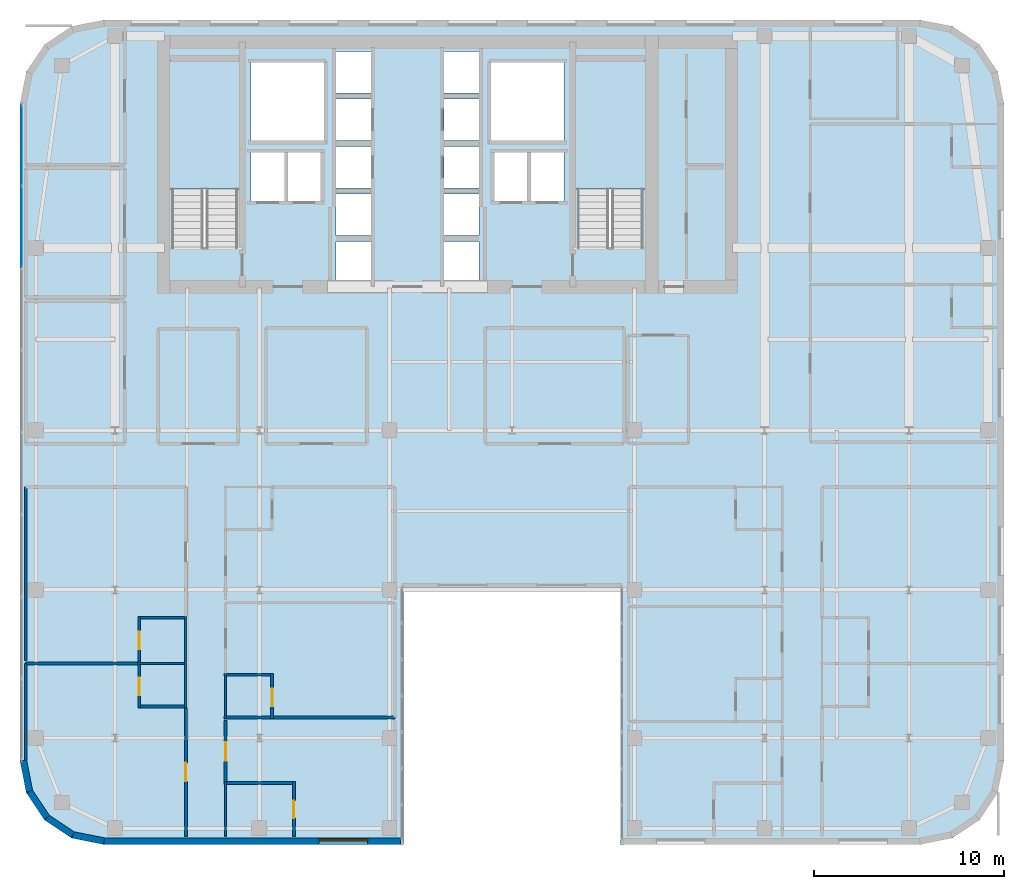
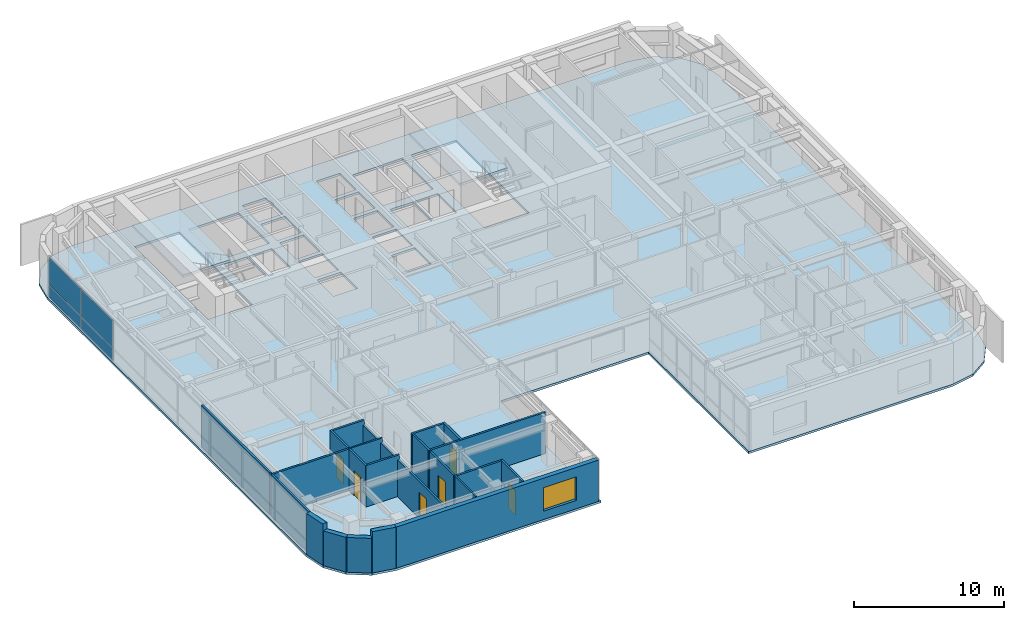
# One storey, part 17 of 24: 24 walls, 6 doors, 4 plates, 3 slabs, 1 window, 7 openings, 3 elements without a shape of their own.
"""IFC4 building model written with IfcOpenShell, lengths in metres."""

from ifc_helpers import new_model, si_unit, direction, frame, frame_2d, origin, origin_2d, place, context, subcontext, project, spatial, polyline, rectangle, outline, extrude, source, transform, mapped, material, layer, layer_set, type_object, type_shapes, element, fill, aggregate, save


model = new_model("IFC4")

# Units and contexts
model_context = context("Model", 3, precision=1e-05, world=origin(), true_north=direction((0.0, 1.0)))
body_context = subcontext(model_context, "Body", "Model", "MODEL_VIEW")
ifc_project = project(units=[si_unit("LENGTHUNIT", "METRE"), si_unit("AREAUNIT", "SQUARE_METRE"), si_unit("VOLUMEUNIT", "CUBIC_METRE"), si_unit("PLANEANGLEUNIT", "RADIAN"), si_unit("MASSUNIT", "GRAM", prefix="KILO")], contexts=[model_context])

# Site, building, storey
site_placement = place(None, origin())
site = spatial("IfcSite", under=ifc_project, at=site_placement, CompositionType="ELEMENT")
building_placement = place(site_placement, origin())
building = spatial("IfcBuilding", under=site, at=building_placement, Name="Tolvann Quenvar Hotel", CompositionType="ELEMENT")
storey_placement = place(building_placement, frame((0.0, 0.0, 194.64990234375)))
storey = spatial("IfcBuildingStorey", under=building, at=storey_placement, Name="L51", CompositionType="ELEMENT", Elevation=194.64990234375)

# Stair, slab
ifc_material_1 = material(Name="Concrete N40 (40 MPa)", Category="concrete")
stair_type = type_object("IfcStairType", Name="STAIR", PredefinedType="HALF_TURN_STAIR", material=ifc_material_1)
stair_1_placement = place(storey_placement, origin())
stair_1 = element("IfcStair", 1, at=stair_1_placement, inside=storey, type_object=stair_type, Name="L51 ST-C1", PredefinedType="HALF_TURN_STAIR")
ifc_layer_1 = layer(ifc_material_1, 0.199951171875)
ifc_layer_set_1 = layer_set([ifc_layer_1], Name="Concrete N40 (40 MPa)")
slab_type_1 = type_object("IfcSlabType", Name="SLAB_LANDING", PredefinedType="LANDING", material=ifc_layer_set_1)
slab_1_placement = place(storey_placement, frame((0.0, 0.0, 1.5751953125)))
slab_1 = element("IfcSlab", 2, at=slab_1_placement, type_object=slab_type_1, Name="ST-C1 landing 1", PredefinedType="LANDING", context=body_context, shape_type="SweptSolid", body=[
    extrude(outline(polyline([(14.179931640625, 37.10498046875), (14.179931640625, 43.8798828125), (10.469970703125, 43.8798828125), (10.469970703125, 37.10498046875), (14.179931640625, 37.10498046875)])), origin(), (0.0, 0.0, 1.0), 0.199951171875),
])
aggregate(stair_1, [slab_1])

stair_2_placement = place(storey_placement, origin())
stair_2 = element("IfcStair", 3, at=stair_2_placement, inside=storey, type_object=stair_type, Name="L51 ST-C2", PredefinedType="HALF_TURN_STAIR")
slab_2_placement = place(storey_placement, frame((0.0, 0.0, 1.5751953125)))
slab_2 = element("IfcSlab", 4, at=slab_2_placement, type_object=slab_type_1, Name="ST-C2 landing 1", PredefinedType="LANDING", context=body_context, shape_type="SweptSolid", body=[
    extrude(outline(polyline([(35.530029296875, 37.10498046875), (35.530029296875, 43.8798828125), (31.820068359375, 43.8798828125), (31.820068359375, 37.10498046875), (35.530029296875, 37.10498046875)])), origin(), (0.0, 0.0, 1.0), 0.199951171875),
])
aggregate(stair_2, [slab_2])

# Slab
ifc_layer_2 = layer(ifc_material_1, 0.179931640625)
ifc_layer_set_2 = layer_set([ifc_layer_2], Name="Concrete N40 (40 MPa)")
slab_type_2 = type_object("IfcSlabType", Name="SLAB_TWR_180", PredefinedType="FLOOR", material=ifc_layer_set_2)
slab_3_placement = place(storey_placement, frame((0.0, 0.0, -0.179931640625)))
element("IfcSlab", 5, at=slab_3_placement, inside=storey, type_object=slab_type_2, Name="Level L51 Structural Floor Slab", PredefinedType="FLOOR", context=body_context, shape_type="SweptSolid", body=[
    extrude(outline(polyline([(2.60009765625, 7.0), (2.934814453125, 5.316162109375), (3.888671875, 3.888671875), (5.316162109375, 2.934814453125), (7.0, 2.60009765625), (22.800048828125, 2.60009765625), (22.800048828125, 16.0), (34.199951171875, 16.0), (34.199951171875, 2.60009765625), (50.0, 2.60009765625), (51.683837890625, 2.934814453125), (53.111328125, 3.888671875), (54.065185546875, 5.316162109375), (54.39990234375, 7.0), (54.39990234375, 41.60009765625), (54.065185546875, 43.28369140625), (53.111328125, 44.711181640625), (51.683837890625, 45.6650390625), (50.0, 46.0), (7.0, 46.0), (5.316162109375, 45.6650390625), (3.888671875, 44.711181640625), (2.934814453125, 43.28369140625), (2.60009765625, 41.60009765625), (2.60009765625, 7.0)]), holes=[polyline([(31.949951171875, 34.02490234375), (31.949951171875, 43.800048828125), (35.39990234375, 43.800048828125), (35.39990234375, 34.02490234375), (31.949951171875, 34.02490234375)]), polyline([(29.449951171875, 39.02001953125), (31.25, 39.02001953125), (31.25, 36.47998046875), (29.449951171875, 36.47998046875), (29.449951171875, 39.02001953125)]), polyline([(31.25, 43.75), (31.25, 39.64990234375), (27.39990234375, 39.64990234375), (27.39990234375, 43.75), (31.25, 43.75)]), polyline([(27.574951171875, 39.02001953125), (29.324951171875, 39.02001953125), (29.324951171875, 36.47998046875), (27.574951171875, 36.47998046875), (27.574951171875, 39.02001953125)]), polyline([(26.77001953125, 44.340087890625), (26.77001953125, 42.159912109375), (24.929931640625, 42.159912109375), (24.929931640625, 44.340087890625), (26.77001953125, 44.340087890625)]), polyline([(24.929931640625, 41.840087890625), (26.77001953125, 41.840087890625), (26.77001953125, 39.659912109375), (24.929931640625, 39.659912109375), (24.929931640625, 41.840087890625)]), polyline([(24.929931640625, 39.340087890625), (26.77001953125, 39.340087890625), (26.77001953125, 37.159912109375), (24.929931640625, 37.159912109375), (24.929931640625, 39.340087890625)]), polyline([(24.929931640625, 36.840087890625), (26.77001953125, 36.840087890625), (26.77001953125, 34.659912109375), (24.929931640625, 34.659912109375), (24.929931640625, 36.840087890625)]), polyline([(24.929931640625, 34.340087890625), (26.77001953125, 34.340087890625), (26.77001953125, 32.159912109375), (24.929931640625, 32.159912109375), (24.929931640625, 34.340087890625)]), polyline([(21.070068359375, 44.340087890625), (21.070068359375, 42.159912109375), (19.22998046875, 42.159912109375), (19.22998046875, 44.340087890625), (21.070068359375, 44.340087890625)]), polyline([(19.22998046875, 41.840087890625), (21.070068359375, 41.840087890625), (21.070068359375, 39.659912109375), (19.22998046875, 39.659912109375), (19.22998046875, 41.840087890625)]), polyline([(19.22998046875, 39.340087890625), (21.070068359375, 39.340087890625), (21.070068359375, 37.159912109375), (19.22998046875, 37.159912109375), (19.22998046875, 39.340087890625)]), polyline([(19.22998046875, 36.840087890625), (21.070068359375, 36.840087890625), (21.070068359375, 34.659912109375), (19.22998046875, 34.659912109375), (19.22998046875, 36.840087890625)]), polyline([(19.22998046875, 34.340087890625), (21.070068359375, 34.340087890625), (21.070068359375, 32.159912109375), (19.22998046875, 32.159912109375), (19.22998046875, 34.340087890625)]), polyline([(18.60009765625, 43.75), (18.60009765625, 39.64990234375), (14.75, 39.64990234375), (14.75, 43.75), (18.60009765625, 43.75)]), polyline([(16.675048828125, 39.02001953125), (18.425048828125, 39.02001953125), (18.425048828125, 36.47998046875), (16.675048828125, 36.47998046875), (16.675048828125, 39.02001953125)]), polyline([(14.75, 39.02001953125), (16.550048828125, 39.02001953125), (16.550048828125, 36.47998046875), (14.75, 36.47998046875), (14.75, 39.02001953125)]), polyline([(10.60009765625, 34.02490234375), (10.60009765625, 43.800048828125), (14.050048828125, 43.800048828125), (14.050048828125, 34.02490234375), (10.60009765625, 34.02490234375)])]), origin(), (0.0, 0.0, 1.0), 0.179931640625),
])

# Curtain wall, plates
ifc_material_2 = material(Name="Thermally broken anodised architectural aluminium 6063-T6 and laminated low-E glass", Category="aluminium")
ifc_layer_3 = layer(ifc_material_2, 0.179931640625)
ifc_layer_set_3 = layer_set([ifc_layer_3], Name="Thermally broken anodised architectural aluminium 6063-T6 and laminated low-E glass")
curtain_wall_type = type_object("IfcCurtainWallType", Name="CW_SYS_BAND_04", PredefinedType="USERDEFINED", material=ifc_layer_set_3)
curtain_wall_placement = place(storey_placement, origin())
curtain_wall = element("IfcCurtainWall", 6, at=curtain_wall_placement, inside=storey, type_object=curtain_wall_type, Name="Curtain Wall CW-BAND-04 (CWR-L51-E23)", ObjectType="UNITISED CURTAIN WALL", PredefinedType="USERDEFINED")
ifc_material_3 = material(Name="Low-iron laminated double glazing with solar-control coating", Category="glass")
ifc_layer_4 = layer(ifc_material_3, 0.028076171875)
ifc_layer_set_4 = layer_set([ifc_layer_4], Name="Low-iron laminated double glazing with solar-control coating")
plate_type = type_object("IfcPlateType", Name="CW_PAN_VISION_28", PredefinedType="CURTAIN_PANEL", material=ifc_layer_set_4)
shared_shape_1 = source(origin(), body_context, "Body", "SweptSolid", [
    extrude(rectangle(XDim=4.2158203125, YDim=0.028076171875, at=origin_2d()), origin(), (0.0, 0.0, 1.0), 0.9599609375),
])
plate_1_placement = place(storey_placement, frame((2.68994140625, 39.405029296875, 0.06005859375), z_axis=(0.0, 0.0, 1.0), x_axis=(0.0, -1.0, 0.0)))
plate_1 = element("IfcPlate", 7, at=plate_1_placement, type_object=plate_type, Name="CW-BAND-04 panel 1.1", PredefinedType="CURTAIN_PANEL", context=body_context, shape_type="MappedRepresentation", body=[
    mapped(shared_shape_1, transform((0.0, 0.0, 0.0), x_axis=(1.0, 0.0, 0.0), y_axis=(0.0, 1.0, 0.0), z_axis=(0.0, 0.0, 1.0), scale=1.0)),
])
shared_shape_2 = source(origin(), body_context, "Body", "SweptSolid", [
    extrude(rectangle(XDim=4.2158203125, YDim=0.028076171875, at=origin_2d()), origin(), (0.0, 0.0, 1.0), 2.22998046875),
])
plate_2_placement = place(storey_placement, frame((2.68994140625, 39.405029296875, 1.080078125), z_axis=(0.0, 0.0, 1.0), x_axis=(0.0, -1.0, 0.0)))
plate_2 = element("IfcPlate", 8, at=plate_2_placement, type_object=plate_type, Name="CW-BAND-04 panel 1.2", PredefinedType="CURTAIN_PANEL", context=body_context, shape_type="MappedRepresentation", body=[
    mapped(shared_shape_2, transform((0.0, 0.0, 0.0), x_axis=(1.0, 0.0, 0.0), y_axis=(0.0, 1.0, 0.0), z_axis=(0.0, 0.0, 1.0), scale=1.0)),
])
shared_shape_3 = source(origin(), body_context, "Body", "SweptSolid", [
    extrude(rectangle(XDim=4.250732421875, YDim=0.028076171875, at=origin_2d()), origin(), (0.0, 0.0, 1.0), 0.9599609375),
])
plate_3_placement = place(storey_placement, frame((2.68994140625, 35.101806640625, 0.06005859375), z_axis=(0.0, 0.0, 1.0), x_axis=(0.0, -1.0, 0.0)))
plate_3 = element("IfcPlate", 9, at=plate_3_placement, type_object=plate_type, Name="CW-BAND-04 panel 2.1", PredefinedType="CURTAIN_PANEL", context=body_context, shape_type="MappedRepresentation", body=[
    mapped(shared_shape_3, transform((0.0, 0.0, 0.0), x_axis=(1.0, 0.0, 0.0), y_axis=(0.0, 1.0, 0.0), z_axis=(0.0, 0.0, 1.0), scale=1.0)),
])
shared_shape_4 = source(origin(), body_context, "Body", "SweptSolid", [
    extrude(rectangle(XDim=4.250732421875, YDim=0.028076171875, at=origin_2d()), origin(), (0.0, 0.0, 1.0), 2.22998046875),
])
type_shapes(plate_type, [shared_shape_1, shared_shape_2, shared_shape_3, shared_shape_4])
plate_4_placement = place(storey_placement, frame((2.68994140625, 35.101806640625, 1.080078125), z_axis=(0.0, 0.0, 1.0), x_axis=(0.0, -1.0, 0.0)))
plate_4 = element("IfcPlate", 10, at=plate_4_placement, type_object=plate_type, Name="CW-BAND-04 panel 2.2", PredefinedType="CURTAIN_PANEL", context=body_context, shape_type="MappedRepresentation", body=[
    mapped(shared_shape_4, transform((0.0, 0.0, 0.0), x_axis=(1.0, 0.0, 0.0), y_axis=(0.0, 1.0, 0.0), z_axis=(0.0, 0.0, 1.0), scale=1.0)),
])
aggregate(curtain_wall, [plate_1, plate_2, plate_3, plate_4])

# Walls
ifc_material_4 = material(Name="Kiln-fired red and buff architectural clay brickwork and terracotta masonry", Category="masonry")
ifc_layer_5 = layer(ifc_material_4, 0.35009765625)
ifc_layer_set_5 = layer_set([ifc_layer_5], Name="Kiln-fired red and buff architectural clay brickwork and terracotta masonry")
wall_type_1 = type_object("IfcWallType", Name="WALL_EXT_BRICK_350", PredefinedType="SOLIDWALL", material=ifc_layer_set_5)
for number, where, z_axis, x_axis, name in (
    (11, (3.099609375, 5.384521484375, 0.0), (0.0, 0.0, 1.0), (0.555623290322, -0.831434158098, 0.0), "Exterior Chicago Brick Wall L51-E01"),
    (12, (4.014892578125, 4.014892578125, 0.0), (0.0, 0.0, 1.0), (0.831434158098, -0.555623290322, 0.0), "Exterior Chicago Brick Wall L51-E02"),
):
    element("IfcWall", number, at=place(storey_placement, frame(where, z_axis=z_axis, x_axis=x_axis)), inside=storey, type_object=wall_type_1, Name=name, PredefinedType="SOLIDWALL", context=body_context, shape_type="SweptSolid", body=[
        extrude(rectangle(XDim=1.647216796875, YDim=0.35009765625, at=frame_2d((0.82373046875, 0.0))), origin(), (0.0, 0.0, 1.0), 2.83203125),
    ])
wall_1_placement = place(storey_placement, frame((5.384521484375, 3.099609375, 0.0), z_axis=(0.0, 0.0, 1.0), x_axis=(0.980788844421, -0.195072403631, 0.0)))
element("IfcWall", 13, at=wall_1_placement, inside=storey, type_object=wall_type_1, Name="Exterior Chicago Brick Wall L51-E03", PredefinedType="SOLIDWALL", context=body_context, shape_type="SweptSolid", body=[
    extrude(rectangle(XDim=1.66455078125, YDim=0.35009765625, at=frame_2d((0.832275390625, 0.0))), origin(), (0.0, 0.0, 1.0), 3.3701171875),
])

# Wall, opening, window
wall_2_placement = place(storey_placement, frame((7.01708984375, 2.77490234375, 0.0), z_axis=(0.0, 0.0, 1.0), x_axis=(1.0, 0.0, 0.0)))
wall_2 = element("IfcWall", 14, at=wall_2_placement, inside=storey, type_object=wall_type_1, Name="Exterior Chicago Brick Wall L51-E04", PredefinedType="SOLIDWALL", context=body_context, shape_type="SweptSolid", body=[
    extrude(rectangle(XDim=15.60791015625, YDim=0.35009765625, at=frame_2d((7.803955078125, 0.0))), origin(), (0.0, 0.0, 1.0), 3.3701171875),
])
opening_1_placement = place(wall_2_placement, frame((11.33203125, 0.0, 0.679931640625)))
opening_1 = element("IfcOpeningElement", 15, at=opening_1_placement, cuts=wall_2, Name="Opening W-09", PredefinedType="OPENING", context=body_context, shape_type="SweptSolid", body=[
    extrude(rectangle(XDim=2.550048828125, YDim=1.919921875, at=frame_2d((1.27490234375, 0.9599609375))), frame((0.0, 0.18505859375, 0.0), z_axis=(0.0, -1.0, 0.0), x_axis=(1.0, 0.0, 0.0)), (0.0, 0.0, 1.0), 0.3701171875),
])
ifc_material_5 = material(Name="Thermally broken bronze-anodised aluminium frame with double low-E glazing", Category="aluminium")
window_type = type_object("IfcWindowType", Name="WIN_LNG_2550x1950", PartitioningType="TRIPLE_PANEL_HORIZONTAL", PredefinedType="WINDOW", material=ifc_material_5)
shared_shape_5 = source(origin(), body_context, "Body", "SweptSolid", [
    extrude(rectangle(XDim=2.550048828125, YDim=1.919921875, at=frame_2d((1.27490234375, 0.9599609375))), frame((0.0, 0.090087890625, 0.0), z_axis=(0.0, -1.0, 0.0), x_axis=(1.0, 0.0, 0.0)), (0.0, 0.0, 1.0), 0.06005859375),
])
type_shapes(window_type, [shared_shape_5])
window_placement = place(opening_1_placement, origin())
window = element("IfcWindow", 16, at=window_placement, inside=storey, type_object=window_type, Name="Chicago Window W-09 (EW-L51-E04-W01)", OverallHeight=1.919921875, OverallWidth=2.550048828125, PartitioningType="TRIPLE_PANEL_HORIZONTAL", PredefinedType="WINDOW", context=body_context, shape_type="MappedRepresentation", body=[
    mapped(shared_shape_5, transform((0.0, 0.0, 0.0), x_axis=(1.0, 0.0, 0.0), y_axis=(0.0, 1.0, 0.0), z_axis=(0.0, 0.0, 1.0), scale=1.0)),
])
fill(opening_1, window)

# Walls
wall_3_placement = place(storey_placement, frame((2.77490234375, 7.01708984375, 0.0), z_axis=(0.0, 0.0, 1.0), x_axis=(0.195072403631, -0.980788844421, 0.0)))
element("IfcWall", 17, at=wall_3_placement, inside=storey, type_object=wall_type_1, Name="Exterior Chicago Brick Wall L51-E24", PredefinedType="SOLIDWALL", context=body_context, shape_type="SweptSolid", body=[
    extrude(rectangle(XDim=1.66455078125, YDim=0.35009765625, at=frame_2d((0.832275390625, 0.0))), origin(), (0.0, 0.0, 1.0), 3.3701171875),
])
ifc_material_6 = material(Name="Moisture-resistant acoustic plumbing wall assembly")
ifc_layer_6 = layer(ifc_material_6, 0.1201171875)
ifc_layer_set_6 = layer_set([ifc_layer_6], Name="Moisture-resistant acoustic plumbing wall assembly")
wall_type_2 = type_object("IfcWallType", Name="WALL_PART_BATH_120", PredefinedType="PLUMBINGWALL", material=ifc_layer_set_6)
wall_4_placement = place(storey_placement, frame((8.81005859375, 12.1201171875, 0.0), z_axis=(0.0, 0.0, 1.0), x_axis=(1.0, 0.0, 0.0)))
element("IfcWall", 18, at=wall_4_placement, inside=storey, type_object=wall_type_2, Name="Non-Rated Plumbing Partition PT-SPC-L51-ENS-WO01-N", PredefinedType="PLUMBINGWALL", context=body_context, shape_type="SweptSolid", body=[
    extrude(rectangle(XDim=2.58984375, YDim=0.1201171875, at=frame_2d((1.294921875, 0.0))), origin(), (0.0, 0.0, 1.0), 3.3701171875),
])
wall_5_placement = place(storey_placement, frame((11.330078125, 9.800048828125, 0.0), z_axis=(0.0, 0.0, 1.0), x_axis=(0.0, 1.0, 0.0)))
element("IfcWall", 19, at=wall_5_placement, inside=storey, type_object=wall_type_2, Name="Non-Rated Plumbing Partition PT-SPC-L51-ENS-WO01-E", PredefinedType="PLUMBINGWALL", context=body_context, shape_type="SweptSolid", body=[
    extrude(rectangle(XDim=2.389892578125, YDim=0.1201171875, at=frame_2d((1.19482421875, 0.0))), origin(), (0.0, 0.0, 1.0), 3.0009765625),
])
wall_6_placement = place(storey_placement, frame((11.330078125, 12.2099609375, 0.0), z_axis=(0.0, 0.0, 1.0), x_axis=(0.0, 1.0, 0.0)))
element("IfcWall", 20, at=wall_6_placement, inside=storey, type_object=wall_type_2, Name="Non-Rated Plumbing Partition PT-SPC-L51-ENS-WO02-E", PredefinedType="PLUMBINGWALL", context=body_context, shape_type="SweptSolid", body=[
    extrude(rectangle(XDim=2.39013671875, YDim=0.1201171875, at=frame_2d((1.195068359375, 0.0))), origin(), (0.0, 0.0, 1.0), 3.0009765625),
])
wall_7_placement = place(storey_placement, frame((13.419921875, 3.0048828125, 0.0), z_axis=(0.0, 0.0, 1.0), x_axis=(0.0, 1.0, 0.0)))
element("IfcWall", 21, at=wall_7_placement, inside=storey, type_object=wall_type_2, Name="Non-Rated Plumbing Partition PT-SPC-L51-ENS-WI01-W", PredefinedType="PLUMBINGWALL", context=body_context, shape_type="SweptSolid", body=[
    extrude(rectangle(XDim=2.89501953125, YDim=0.1201171875, at=frame_2d((1.447509765625, 0.0))), origin(), (0.0, 0.0, 1.0), 3.3701171875),
])
wall_8_placement = place(storey_placement, frame((13.419921875, 9.2099609375, 0.0), z_axis=(0.0, 0.0, 1.0), x_axis=(0.0, 1.0, 0.0)))
element("IfcWall", 22, at=wall_8_placement, inside=storey, type_object=wall_type_2, Name="Non-Rated Plumbing Partition PT-SPC-L51-ENS-WI02-W", PredefinedType="PLUMBINGWALL", context=body_context, shape_type="SweptSolid", body=[
    extrude(rectangle(XDim=2.39013671875, YDim=0.1201171875, at=frame_2d((1.195068359375, 0.0))), origin(), (0.0, 0.0, 1.0), 3.3701171875),
])

# Wall, opening, door
ifc_material_7 = material(Name="Acoustic twin-stud fire-rated gypsum plasterboard partition")
ifc_layer_7 = layer(ifc_material_7, 0.14990234375)
ifc_layer_set_7 = layer_set([ifc_layer_7], Name="Acoustic twin-stud fire-rated gypsum plasterboard partition")
wall_type_3 = type_object("IfcWallType", Name="WALL_PART_SUITE_150", PredefinedType="PARTITIONING", material=ifc_layer_set_7)
wall_9_placement = place(storey_placement, frame((8.8798828125, 9.800048828125, 0.0), z_axis=(0.0, 0.0, 1.0), x_axis=(0.0, 1.0, 0.0)))
wall_9 = element("IfcWall", 23, at=wall_9_placement, inside=storey, type_object=wall_type_3, Name="Interior Partition PT-SPC-L51-ENS-WO01-ENT", PredefinedType="PARTITIONING", context=body_context, shape_type="SweptSolid", body=[
    extrude(rectangle(XDim=2.389892578125, YDim=0.14990234375, at=frame_2d((1.19482421875, 0.0))), origin(), (0.0, 0.0, 1.0), 3.3701171875),
])
opening_2_placement = place(wall_9_placement, frame((0.6650390625, 0.0, 0.0)))
opening_2 = element("IfcOpeningElement", 24, at=opening_2_placement, cuts=wall_9, Name="Opening WD-01", PredefinedType="OPENING", context=body_context, shape_type="SweptSolid", body=[
    extrude(rectangle(XDim=0.919921875, YDim=2.010009765625, at=frame_2d((0.4599609375, 1.0048828125))), frame((0.0, 0.0849609375, 0.0), z_axis=(0.0, -1.0, 0.0), x_axis=(1.0, 0.0, 0.0)), (0.0, 0.0, 1.0), 0.169921875),
])
ifc_material_8 = material(Name="Solid-core American oak acoustic fire door leaf in steel frame", Category="steel")
door_type_1 = type_object("IfcDoorType", Name="DOOR_WC_920", OperationType="NOTDEFINED", PredefinedType="DOOR", material=ifc_material_8)
shared_shape_6 = source(origin(), body_context, "Body", "SweptSolid", [
    extrude(rectangle(XDim=0.919921875, YDim=2.010009765625, at=frame_2d((0.4599609375, 1.0048828125))), frame((0.0, 0.02490234375, 0.0), z_axis=(0.0, -1.0, 0.0), x_axis=(1.0, 0.0, 0.0)), (0.0, 0.0, 1.0), 0.050048828125),
])
type_shapes(door_type_1, [shared_shape_6])
door_1_placement = place(opening_2_placement, origin())
door_1 = element("IfcDoor", 25, at=door_1_placement, inside=storey, type_object=door_type_1, Name="Interior Door DOOR-SPC-L51-ENS-WO01", OperationType="SINGLE_SWING_RIGHT", OverallHeight=2.010009765625, OverallWidth=0.919921875, PredefinedType="DOOR", context=body_context, shape_type="MappedRepresentation", body=[
    mapped(shared_shape_6, transform((0.0, 0.0, 0.0), x_axis=(1.0, 0.0, 0.0), y_axis=(0.0, 1.0, 0.0), z_axis=(0.0, 0.0, 1.0), scale=1.0)),
])
fill(opening_2, door_1)

# Wall
wall_10_placement = place(storey_placement, frame((8.81005859375, 9.8701171875, 0.0), z_axis=(0.0, 0.0, 1.0), x_axis=(1.0, 0.0, 0.0)))
element("IfcWall", 26, at=wall_10_placement, inside=storey, type_object=wall_type_3, Name="Interior Partition PT-SPC-L51-ENS-WO01-S", PredefinedType="PARTITIONING", context=body_context, shape_type="SweptSolid", body=[
    extrude(rectangle(XDim=2.58984375, YDim=0.14990234375, at=frame_2d((1.294921875, 0.0))), origin(), (0.0, 0.0, 1.0), 3.3701171875),
])

# Wall, opening, door
wall_11_placement = place(storey_placement, frame((8.8798828125, 12.2099609375, 0.0), z_axis=(0.0, 0.0, 1.0), x_axis=(0.0, 1.0, 0.0)))
wall_11 = element("IfcWall", 27, at=wall_11_placement, inside=storey, type_object=wall_type_3, Name="Interior Partition PT-SPC-L51-ENS-WO02-ENT", PredefinedType="PARTITIONING", context=body_context, shape_type="SweptSolid", body=[
    extrude(rectangle(XDim=2.39013671875, YDim=0.14990234375, at=frame_2d((1.195068359375, 0.0))), origin(), (0.0, 0.0, 1.0), 3.3701171875),
])
opening_3_placement = place(wall_11_placement, frame((0.6650390625, 0.0, 0.0)))
opening_3 = element("IfcOpeningElement", 28, at=opening_3_placement, cuts=wall_11, Name="Opening WD-01", PredefinedType="OPENING", context=body_context, shape_type="SweptSolid", body=[
    extrude(rectangle(XDim=0.919921875, YDim=2.010009765625, at=frame_2d((0.4599609375, 1.0048828125))), frame((0.0, 0.0849609375, 0.0), z_axis=(0.0, -1.0, 0.0), x_axis=(1.0, 0.0, 0.0)), (0.0, 0.0, 1.0), 0.169921875),
])
door_2_placement = place(opening_3_placement, origin())
door_2 = element("IfcDoor", 29, at=door_2_placement, inside=storey, type_object=door_type_1, Name="Interior Door DOOR-SPC-L51-ENS-WO02", OperationType="SINGLE_SWING_LEFT", OverallHeight=2.010009765625, OverallWidth=0.919921875, PredefinedType="DOOR", context=body_context, shape_type="MappedRepresentation", body=[
    mapped(shared_shape_6, transform((0.0, 0.0, 0.0), x_axis=(1.0, 0.0, 0.0), y_axis=(0.0, 1.0, 0.0), z_axis=(0.0, 0.0, 1.0), scale=1.0)),
])
fill(opening_3, door_2)

# Wall
wall_12_placement = place(storey_placement, frame((8.81005859375, 14.530029296875, 0.0), z_axis=(0.0, 0.0, 1.0), x_axis=(1.0, 0.0, 0.0)))
element("IfcWall", 30, at=wall_12_placement, inside=storey, type_object=wall_type_3, Name="Interior Partition PT-SPC-L51-ENS-WO02-N", PredefinedType="PARTITIONING", context=body_context, shape_type="SweptSolid", body=[
    extrude(rectangle(XDim=2.58984375, YDim=0.14990234375, at=frame_2d((1.294921875, 0.0))), origin(), (0.0, 0.0, 1.0), 3.3701171875),
])

# Wall, opening, door
wall_13_placement = place(storey_placement, frame((17.02001953125, 3.0048828125, 0.0), z_axis=(0.0, 0.0, 1.0), x_axis=(0.0, 1.0, 0.0)))
wall_13 = element("IfcWall", 31, at=wall_13_placement, inside=storey, type_object=wall_type_3, Name="Interior Partition PT-SPC-L51-ENS-WI01-ENT", PredefinedType="PARTITIONING", context=body_context, shape_type="SweptSolid", body=[
    extrude(rectangle(XDim=2.89501953125, YDim=0.14990234375, at=frame_2d((1.447509765625, 0.0))), origin(), (0.0, 0.0, 1.0), 3.3701171875),
])
opening_4_placement = place(wall_13_placement, frame((0.97998046875, 0.0, 0.0)))
opening_4 = element("IfcOpeningElement", 32, at=opening_4_placement, cuts=wall_13, Name="Opening WD-01", PredefinedType="OPENING", context=body_context, shape_type="SweptSolid", body=[
    extrude(rectangle(XDim=0.919921875, YDim=2.010009765625, at=frame_2d((0.4599609375, 1.0048828125))), frame((0.0, 0.0849609375, 0.0), z_axis=(0.0, -1.0, 0.0), x_axis=(1.0, 0.0, 0.0)), (0.0, 0.0, 1.0), 0.169921875),
])
door_3_placement = place(opening_4_placement, origin())
door_3 = element("IfcDoor", 33, at=door_3_placement, inside=storey, type_object=door_type_1, Name="Interior Door DOOR-SPC-L51-ENS-WI01", OperationType="SINGLE_SWING_RIGHT", OverallHeight=2.010009765625, OverallWidth=0.919921875, PredefinedType="DOOR", context=body_context, shape_type="MappedRepresentation", body=[
    mapped(shared_shape_6, transform((0.0, 0.0, 0.0), x_axis=(1.0, 0.0, 0.0), y_axis=(0.0, 1.0, 0.0), z_axis=(0.0, 0.0, 1.0), scale=1.0)),
])
fill(opening_4, door_3)

# Wall
wall_14_placement = place(storey_placement, frame((13.35009765625, 5.830078125, 0.0), z_axis=(0.0, 0.0, 1.0), x_axis=(1.0, 0.0, 0.0)))
element("IfcWall", 34, at=wall_14_placement, inside=storey, type_object=wall_type_3, Name="Interior Partition PT-SPC-L51-ENS-WI01-N", PredefinedType="PARTITIONING", context=body_context, shape_type="SweptSolid", body=[
    extrude(rectangle(XDim=3.739990234375, YDim=0.14990234375, at=frame_2d((1.8701171875, 0.0))), origin(), (0.0, 0.0, 1.0), 3.3701171875),
])

# Wall, opening, door
wall_15_placement = place(storey_placement, frame((15.8701171875, 9.2099609375, 0.0), z_axis=(0.0, 0.0, 1.0), x_axis=(0.0, 1.0, 0.0)))
wall_15 = element("IfcWall", 35, at=wall_15_placement, inside=storey, type_object=wall_type_3, Name="Interior Partition PT-SPC-L51-ENS-WI02-ENT", PredefinedType="PARTITIONING", context=body_context, shape_type="SweptSolid", body=[
    extrude(rectangle(XDim=2.39013671875, YDim=0.14990234375, at=frame_2d((1.195068359375, 0.0))), origin(), (0.0, 0.0, 1.0), 3.3701171875),
])
opening_5_placement = place(wall_15_placement, frame((0.6650390625, 0.0, 0.0)))
opening_5 = element("IfcOpeningElement", 36, at=opening_5_placement, cuts=wall_15, Name="Opening WD-01", PredefinedType="OPENING", context=body_context, shape_type="SweptSolid", body=[
    extrude(rectangle(XDim=0.919921875, YDim=2.010009765625, at=frame_2d((0.4599609375, 1.0048828125))), frame((0.0, 0.0849609375, 0.0), z_axis=(0.0, -1.0, 0.0), x_axis=(1.0, 0.0, 0.0)), (0.0, 0.0, 1.0), 0.169921875),
])
door_4_placement = place(opening_5_placement, origin())
door_4 = element("IfcDoor", 37, at=door_4_placement, inside=storey, type_object=door_type_1, Name="Interior Door DOOR-SPC-L51-ENS-WI02", OperationType="SINGLE_SWING_LEFT", OverallHeight=2.010009765625, OverallWidth=0.919921875, PredefinedType="DOOR", context=body_context, shape_type="MappedRepresentation", body=[
    mapped(shared_shape_6, transform((0.0, 0.0, 0.0), x_axis=(1.0, 0.0, 0.0), y_axis=(0.0, 1.0, 0.0), z_axis=(0.0, 0.0, 1.0), scale=1.0)),
])
fill(opening_5, door_4)

# Walls
wall_16_placement = place(storey_placement, frame((13.35009765625, 9.280029296875, 0.0), z_axis=(0.0, 0.0, 1.0), x_axis=(1.0, 0.0, 0.0)))
element("IfcWall", 38, at=wall_16_placement, inside=storey, type_object=wall_type_3, Name="Interior Partition PT-SPC-L51-ENS-WI02-S", PredefinedType="PARTITIONING", context=body_context, shape_type="SweptSolid", body=[
    extrude(rectangle(XDim=9.0, YDim=0.14990234375, at=frame_2d((4.5, 0.0))), origin(), (0.0, 0.0, 1.0), 3.3701171875),
])
wall_17_placement = place(storey_placement, frame((13.35009765625, 11.530029296875, 0.0), z_axis=(0.0, 0.0, 1.0), x_axis=(1.0, 0.0, 0.0)))
element("IfcWall", 39, at=wall_17_placement, inside=storey, type_object=wall_type_3, Name="Interior Partition PT-SPC-L51-ENS-WI02-N", PredefinedType="PARTITIONING", context=body_context, shape_type="SweptSolid", body=[
    extrude(rectangle(XDim=2.58984375, YDim=0.14990234375, at=frame_2d((1.294921875, 0.0))), origin(), (0.0, 0.0, 1.0), 3.3701171875),
])

# Wall, opening, door
wall_18_placement = place(storey_placement, frame((11.330078125, 3.0048828125, 0.0), z_axis=(0.0, 0.0, 1.0), x_axis=(0.0, 1.0, 0.0)))
wall_18 = element("IfcWall", 40, at=wall_18_placement, inside=storey, type_object=wall_type_3, Name="Interior Partition PT-SPC-L51-RM-WO01-ENT", PredefinedType="PARTITIONING", context=body_context, shape_type="SweptSolid", body=[
    extrude(rectangle(XDim=6.78515625, YDim=0.14990234375, at=frame_2d((3.392578125, 0.0))), origin(), (0.0, 0.0, 1.0), 3.0009765625),
])
opening_6_placement = place(wall_18_placement, frame((2.909912109375, 0.0, 0.0)))
opening_6 = element("IfcOpeningElement", 41, at=opening_6_placement, cuts=wall_18, Name="Opening SD-01", PredefinedType="OPENING", context=body_context, shape_type="SweptSolid", body=[
    extrude(rectangle(XDim=0.97998046875, YDim=2.1201171875, at=frame_2d((0.489990234375, 1.06005859375))), frame((0.0, 0.0849609375, 0.0), z_axis=(0.0, -1.0, 0.0), x_axis=(1.0, 0.0, 0.0)), (0.0, 0.0, 1.0), 0.169921875),
])
door_type_2 = type_object("IfcDoorType", Name="DOOR_SUITE_980", OperationType="NOTDEFINED", PredefinedType="DOOR", material=ifc_material_8)
shared_shape_7 = source(origin(), body_context, "Body", "SweptSolid", [
    extrude(rectangle(XDim=0.97998046875, YDim=2.1201171875, at=frame_2d((0.489990234375, 1.06005859375))), frame((0.0, 0.02490234375, 0.0), z_axis=(0.0, -1.0, 0.0), x_axis=(1.0, 0.0, 0.0)), (0.0, 0.0, 1.0), 0.050048828125),
])
type_shapes(door_type_2, [shared_shape_7])
door_5_placement = place(opening_6_placement, origin())
door_5 = element("IfcDoor", 42, at=door_5_placement, inside=storey, type_object=door_type_2, Name="Interior Door DOOR-SPC-L51-RM-WO01", OperationType="SINGLE_SWING_RIGHT", OverallHeight=2.1201171875, OverallWidth=0.97998046875, PredefinedType="DOOR", context=body_context, shape_type="MappedRepresentation", body=[
    mapped(shared_shape_7, transform((0.0, 0.0, 0.0), x_axis=(1.0, 0.0, 0.0), y_axis=(0.0, 1.0, 0.0), z_axis=(0.0, 0.0, 1.0), scale=1.0)),
])
fill(opening_6, door_5)

# Walls
wall_19_placement = place(storey_placement, frame((2.89990234375, 12.1201171875, 0.0), z_axis=(0.0, 0.0, 1.0), x_axis=(1.0, 0.0, 0.0)))
element("IfcWall", 43, at=wall_19_placement, inside=storey, type_object=wall_type_3, Name="Interior Partition PT-SPC-L51-RM-WO01-E5", PredefinedType="PARTITIONING", context=body_context, shape_type="SweptSolid", body=[
    extrude(rectangle(XDim=5.960205078125, YDim=0.14990234375, at=frame_2d((2.97998046875, 0.0))), origin(), (0.0, 0.0, 1.0), 3.3701171875),
])
wall_20_placement = place(storey_placement, frame((2.89990234375, 7.0419921875, 0.0), z_axis=(0.0, 0.0, 1.0), x_axis=(0.0, 1.0, 0.0)))
element("IfcWall", 44, at=wall_20_placement, inside=storey, type_object=wall_type_3, Name="Interior Partition PT-SPC-L51-RM-WO01-E6", PredefinedType="PARTITIONING", context=body_context, shape_type="SweptSolid", body=[
    extrude(rectangle(XDim=5.078125, YDim=0.14990234375, at=frame_2d((2.5390625, 0.0))), origin(), (0.0, 0.0, 1.0), 3.3701171875),
])
wall_21_placement = place(storey_placement, frame((2.89990234375, 12.280029296875, 0.0), z_axis=(0.0, 0.0, 1.0), x_axis=(0.0, 1.0, 0.0)))
element("IfcWall", 45, at=wall_21_placement, inside=storey, type_object=wall_type_3, Name="Interior Partition PT-SPC-L51-RM-WO02-E6", PredefinedType="PARTITIONING", context=body_context, shape_type="SweptSolid", body=[
    extrude(rectangle(XDim=9.139892578125, YDim=0.14990234375, at=frame_2d((4.56982421875, 0.0))), origin(), (0.0, 0.0, 1.0), 3.3701171875),
])

# Wall, opening, door
wall_22_placement = place(storey_placement, frame((13.419921875, 5.909912109375, 0.0), z_axis=(0.0, 0.0, 1.0), x_axis=(0.0, 1.0, 0.0)))
wall_22 = element("IfcWall", 46, at=wall_22_placement, inside=storey, type_object=wall_type_3, Name="Interior Partition PT-SPC-L51-RM-WI01-ENT", PredefinedType="PARTITIONING", context=body_context, shape_type="SweptSolid", body=[
    extrude(rectangle(XDim=3.210205078125, YDim=0.14990234375, at=frame_2d((1.60498046875, 0.0))), origin(), (0.0, 0.0, 1.0), 3.3701171875),
])
opening_7_placement = place(wall_22_placement, frame((1.094970703125, 0.0, 0.0)))
opening_7 = element("IfcOpeningElement", 47, at=opening_7_placement, cuts=wall_22, Name="Opening SD-01", PredefinedType="OPENING", context=body_context, shape_type="SweptSolid", body=[
    extrude(rectangle(XDim=0.97998046875, YDim=2.1201171875, at=frame_2d((0.489990234375, 1.06005859375))), frame((0.0, 0.0849609375, 0.0), z_axis=(0.0, -1.0, 0.0), x_axis=(1.0, 0.0, 0.0)), (0.0, 0.0, 1.0), 0.169921875),
])
door_6_placement = place(opening_7_placement, origin())
door_6 = element("IfcDoor", 48, at=door_6_placement, inside=storey, type_object=door_type_2, Name="Interior Door DOOR-SPC-L51-RM-WI01", OperationType="SINGLE_SWING_RIGHT", OverallHeight=2.1201171875, OverallWidth=0.97998046875, PredefinedType="DOOR", context=body_context, shape_type="MappedRepresentation", body=[
    mapped(shared_shape_7, transform((0.0, 0.0, 0.0), x_axis=(1.0, 0.0, 0.0), y_axis=(0.0, 1.0, 0.0), z_axis=(0.0, 0.0, 1.0), scale=1.0)),
])
fill(opening_7, door_6)

save(model, "model.ifc")
